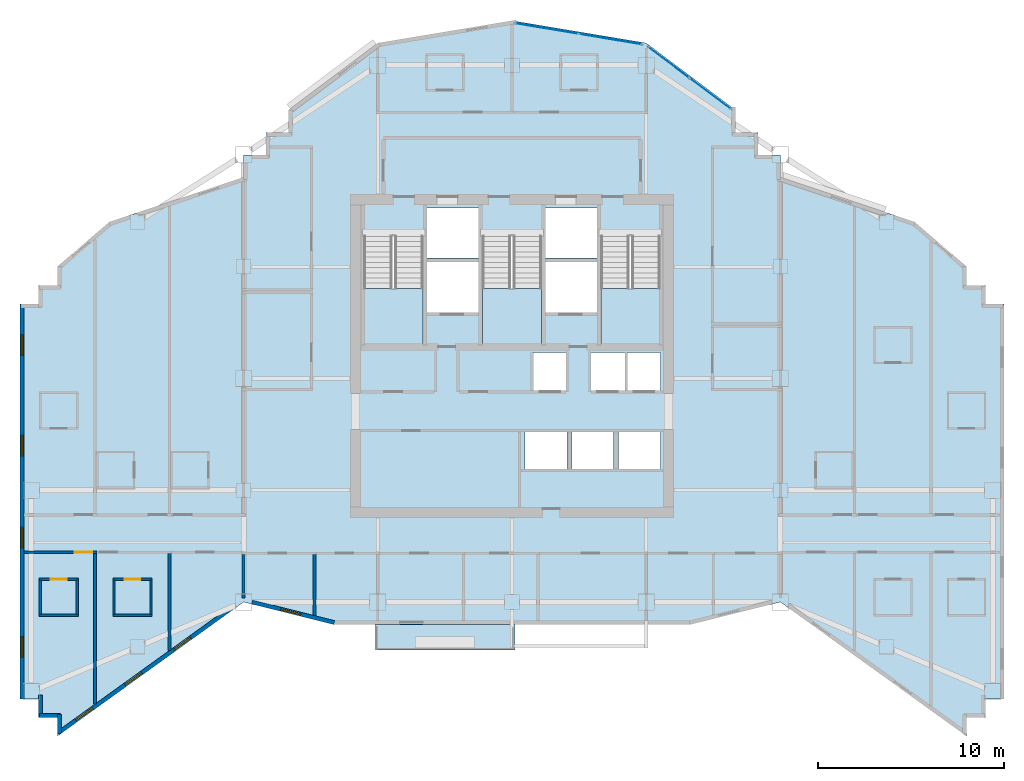
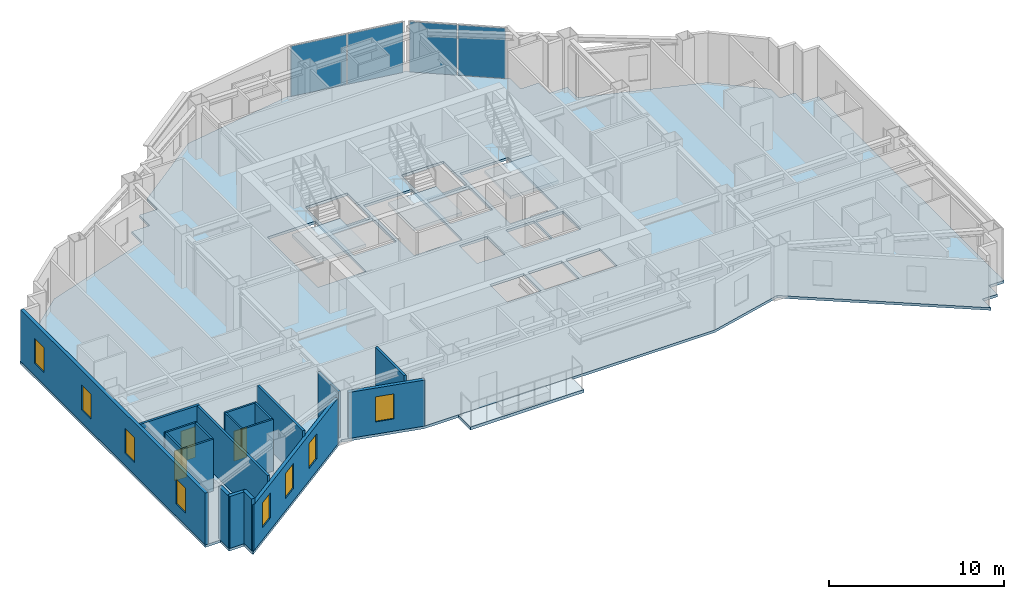
# One storey, part 4 of 12: 19 walls, 8 windows, 5 slabs, 4 plates, 3 doors, 11 openings, 5 elements without a shape of their own.
"""IFC4 building model written with IfcOpenShell, lengths in metres."""

from ifc_helpers import new_model, si_unit, direction, frame, frame_2d, origin, origin_2d, place, context, subcontext, project, spatial, polyline, rectangle, outline, extrude, material, layer, layer_set, type_object, element, fill, aggregate, save


model = new_model("IFC4")

# Units and contexts
model_context = context("Model", 3, precision=1e-05, world=origin(), true_north=direction((0.0, 1.0)))
body_context = subcontext(model_context, "Body", "Model", "MODEL_VIEW")
ifc_project = project(units=[si_unit("LENGTHUNIT", "METRE"), si_unit("AREAUNIT", "SQUARE_METRE"), si_unit("VOLUMEUNIT", "CUBIC_METRE"), si_unit("PLANEANGLEUNIT", "RADIAN"), si_unit("MASSUNIT", "GRAM", prefix="KILO")], contexts=[model_context])

# Site, building, storey
site_placement = place(None, origin())
site = spatial("IfcSite", under=ifc_project, at=site_placement, CompositionType="ELEMENT")
building_placement = place(site_placement, origin())
building = spatial("IfcBuilding", under=site, at=building_placement, Name="Haolan Belvedere Tower", CompositionType="ELEMENT")
storey_placement = place(building_placement, frame((0.0, 0.0, 195.60009765625)))
storey = spatial("IfcBuildingStorey", under=building, at=storey_placement, Name="L49", CompositionType="ELEMENT", Elevation=195.60009765625)

# Curtain wall, plates
ifc_material_1 = material(Name="Anodised champagne-silver aluminium 6063-T6 and Low-E glass", Category="aluminium")
ifc_layer_1 = layer(ifc_material_1, 0.14990234375, Name="Anodised champagne-silver aluminium 6063-T6 and Low-E glass")
ifc_layer_set_1 = layer_set([ifc_layer_1], Name="Anodised champagne-silver aluminium 6063-T6 and Low-E glass")
curtain_wall_type = type_object("IfcCurtainWallType", Name="CW-SYS-04", PredefinedType="NOTDEFINED", material=ifc_layer_set_1)
curtain_wall_1_placement = place(storey_placement, origin())
curtain_wall_1 = element("IfcCurtainWall", 1, at=curtain_wall_1_placement, inside=storey, type_object=curtain_wall_type, Name="L49 CW-SYS-04 ribbon curtain wall 20.1", PredefinedType="NOTDEFINED")
ifc_material_2 = material(Name="Double silver Low-E laminated insulating glass", Category="glass")
ifc_layer_2 = layer(ifc_material_2, 0.02392578125, Name="Double silver Low-E laminated insulating glass")
ifc_layer_set_2 = layer_set([ifc_layer_2], Name="Double silver Low-E laminated insulating glass")
plate_type = type_object("IfcPlateType", Name="CW-SYS-04-PNL", PredefinedType="CURTAIN_PANEL", material=ifc_layer_set_2)
plate_1_placement = place(storey_placement, frame((49.0390625, 48.883056640625, 0.0517578125), z_axis=(0.0, 0.0, 1.0), x_axis=(-0.799997871638, 0.600002837806, 0.0)))
plate_1 = element("IfcPlate", 2, at=plate_1_placement, type_object=plate_type, Name="CW-04 panel 1.1", PredefinedType="CURTAIN_PANEL", context=body_context, shape_type="SweptSolid", body=[
    extrude(rectangle(XDim=2.735107421875, YDim=0.02392578125, at=origin_2d()), origin(), (0.0, 0.0, 1.0), 3.51611328125),
])
plate_2_placement = place(storey_placement, frame((46.806396484375, 50.557861328125, 0.0517578125), z_axis=(0.0, 0.0, 1.0), x_axis=(-0.799997871638, 0.600002837806, 0.0)))
plate_2 = element("IfcPlate", 3, at=plate_2_placement, type_object=plate_type, Name="CW-04 panel 2.1", PredefinedType="CURTAIN_PANEL", context=body_context, shape_type="SweptSolid", body=[
    extrude(rectangle(XDim=2.735107421875, YDim=0.02392578125, at=origin_2d()), origin(), (0.0, 0.0, 1.0), 3.51611328125),
])
aggregate(curtain_wall_1, [plate_1, plate_2])

curtain_wall_2_placement = place(storey_placement, origin())
curtain_wall_2 = element("IfcCurtainWall", 4, at=curtain_wall_2_placement, inside=storey, type_object=curtain_wall_type, Name="L49 CW-SYS-04 ribbon curtain wall 21.1", PredefinedType="NOTDEFINED")
plate_3_placement = place(storey_placement, frame((43.683837890625, 51.807861328125, 0.0517578125), z_axis=(0.0, 0.0, 1.0), x_axis=(-0.98639276122, 0.164405962825, 0.0)))
plate_3 = element("IfcPlate", 5, at=plate_3_placement, type_object=plate_type, Name="CW-04 panel 1.1", PredefinedType="CURTAIN_PANEL", context=body_context, shape_type="SweptSolid", body=[
    extrude(rectangle(XDim=3.403076171875, YDim=0.02392578125, at=origin_2d()), origin(), (0.0, 0.0, 1.0), 3.51611328125),
])
plate_4_placement = place(storey_placement, frame((40.271728515625, 52.37646484375, 0.0517578125), z_axis=(0.0, 0.0, 1.0), x_axis=(-0.98639276122, 0.164405962825, 0.0)))
plate_4 = element("IfcPlate", 6, at=plate_4_placement, type_object=plate_type, Name="CW-04 panel 2.1", PredefinedType="CURTAIN_PANEL", context=body_context, shape_type="SweptSolid", body=[
    extrude(rectangle(XDim=3.403076171875, YDim=0.02392578125, at=origin_2d()), origin(), (0.0, 0.0, 1.0), 3.51611328125),
])
aggregate(curtain_wall_2, [plate_3, plate_4])

# Slabs
ifc_material_3 = material(Name="Concrete C40/50", Category="concrete")
ifc_layer_3 = layer(ifc_material_3, 0.2099609375, Name="Concrete C40/50")
ifc_layer_set_3 = layer_set([ifc_layer_3], Name="Concrete C40/50")
slab_type_1 = type_object("IfcSlabType", Name="SL-BAL-210", PredefinedType="FLOOR", material=ifc_layer_set_3)
slab_1_placement = place(storey_placement, frame((0.0, 0.0, -0.22998046875)))
element("IfcSlab", 7, at=slab_1_placement, inside=storey, type_object=slab_type_1, Name="L49 structural tree-planter balcony slab BAL-L49-S1", PredefinedType="FLOOR", context=body_context, shape_type="SweptSolid", body=[
    extrude(outline(polyline([(31.050048828125, 19.02001953125), (38.550048828125, 19.02001953125), (38.550048828125, 20.39990234375), (31.050048828125, 20.39990234375), (31.050048828125, 19.02001953125)])), origin(), (0.0, 0.0, 1.0), 0.2099609375),
])
ifc_layer_4 = layer(ifc_material_3, 0.179931640625, Name="Concrete C40/50")
ifc_layer_set_4 = layer_set([ifc_layer_4], Name="Concrete C40/50")
slab_type_2 = type_object("IfcSlabType", Name="SL-FLR-180", PredefinedType="FLOOR", material=ifc_layer_set_4)
slab_2_placement = place(storey_placement, frame((0.0, 0.0, -0.18017578125)))
element("IfcSlab", 8, at=slab_2_placement, inside=storey, type_object=slab_type_2, Name="L49 structural floor slab", PredefinedType="FLOOR", context=body_context, shape_type="SweptSolid", body=[
    extrude(outline(polyline([(24.0, 21.60009765625), (28.800048828125, 20.39990234375), (48.0, 20.39990234375), (52.800048828125, 21.60009765625), (62.800048828125, 14.39990234375), (62.800048828125, 15.39990234375), (63.800048828125, 15.39990234375), (63.800048828125, 16.39990234375), (64.800048828125, 16.39990234375), (64.800048828125, 37.60009765625), (63.800048828125, 37.60009765625), (63.800048828125, 38.60009765625), (62.800048828125, 38.60009765625), (62.800048828125, 39.60009765625), (60.0, 42.0), (52.800048828125, 44.39990234375), (52.800048828125, 45.60009765625), (51.60009765625, 45.60009765625), (51.60009765625, 46.800048828125), (50.39990234375, 46.800048828125), (50.39990234375, 48.0), (45.60009765625, 51.60009765625), (38.39990234375, 52.800048828125), (31.199951171875, 51.60009765625), (26.39990234375, 48.0), (26.39990234375, 46.800048828125), (25.199951171875, 46.800048828125), (25.199951171875, 45.60009765625), (24.0, 45.60009765625), (24.0, 44.39990234375), (16.800048828125, 42.0), (14.0, 39.60009765625), (14.0, 38.60009765625), (13.0, 38.60009765625), (13.0, 37.60009765625), (12.0, 37.60009765625), (12.0, 16.800048828125), (12.0, 16.39990234375), (13.0, 16.39990234375), (13.0, 15.39990234375), (14.0, 15.39990234375), (14.0, 14.39990234375), (24.0, 21.60009765625)]), holes=[polyline([(30.449951171875, 41.22998046875), (30.449951171875, 35.449951171875), (33.6298828125, 35.449951171875), (33.6298828125, 41.22998046875), (30.449951171875, 41.22998046875)]), polyline([(36.81005859375, 41.22998046875), (36.81005859375, 35.449951171875), (39.989990234375, 35.449951171875), (39.989990234375, 41.22998046875), (36.81005859375, 41.22998046875)]), polyline([(43.169921875, 41.22998046875), (43.169921875, 35.449951171875), (46.35009765625, 35.449951171875), (46.35009765625, 41.22998046875), (43.169921875, 41.22998046875)]), polyline([(33.830078125, 40.050048828125), (36.610107421875, 40.050048828125), (36.610107421875, 42.75), (33.830078125, 42.75), (33.830078125, 40.050048828125)]), polyline([(33.830078125, 37.14990234375), (36.610107421875, 37.14990234375), (36.610107421875, 39.85009765625), (33.830078125, 39.85009765625), (33.830078125, 37.14990234375)]), polyline([(40.18994140625, 40.050048828125), (42.969970703125, 40.050048828125), (42.969970703125, 42.75), (40.18994140625, 42.75), (40.18994140625, 40.050048828125)]), polyline([(40.18994140625, 37.14990234375), (42.969970703125, 37.14990234375), (42.969970703125, 39.85009765625), (40.18994140625, 39.85009765625), (40.18994140625, 37.14990234375)]), polyline([(39.5400390625, 32.949951171875), (41.389892578125, 32.949951171875), (41.389892578125, 35.0), (39.5400390625, 35.0), (39.5400390625, 32.949951171875)]), polyline([(42.6201171875, 32.949951171875), (44.469970703125, 32.949951171875), (44.469970703125, 35.0), (42.6201171875, 35.0), (42.6201171875, 32.949951171875)]), polyline([(44.580078125, 32.949951171875), (46.3798828125, 32.949951171875), (46.3798828125, 35.0), (44.580078125, 35.0), (44.580078125, 32.949951171875)]), polyline([(39.10009765625, 28.75), (41.340087890625, 28.75), (41.340087890625, 30.75), (39.10009765625, 30.75), (39.10009765625, 28.75)]), polyline([(41.610107421875, 28.75), (43.85009765625, 28.75), (43.85009765625, 30.75), (41.610107421875, 30.75), (41.610107421875, 28.75)]), polyline([(44.1201171875, 28.75), (46.360107421875, 28.75), (46.360107421875, 30.75), (44.1201171875, 30.75), (44.1201171875, 28.75)])]), origin(), (0.0, 0.0, 1.0), 0.18017578125),
])

# Stair, slab
stair_type = type_object("IfcStairType", Name="STR-DL-22R-173", PredefinedType="HALF_TURN_STAIR", material=ifc_material_3)
stair_1_placement = place(storey_placement, origin())
stair_1 = element("IfcStair", 9, at=stair_1_placement, inside=storey, type_object=stair_type, Name="L49 Smokeproof Core Exit Stair ST1", PredefinedType="HALF_TURN_STAIR")
ifc_layer_5 = layer(ifc_material_3, 0.199951171875, Name="Concrete C40/50")
ifc_layer_set_5 = layer_set([ifc_layer_5], Name="Concrete C40/50")
slab_type_3 = type_object("IfcSlabType", Name="SL-LAND-200", PredefinedType="LANDING", material=ifc_layer_set_5)
slab_3_placement = place(storey_placement, frame((0.0, 0.0, 1.699951171875)))
slab_3 = element("IfcSlab", 10, at=slab_3_placement, type_object=slab_type_3, Name="ST1 landing 1", PredefinedType="LANDING", context=body_context, shape_type="SweptSolid", body=[
    extrude(outline(polyline([(30.449951171875, 38.429931640625), (30.449951171875, 35.449951171875), (33.6298828125, 35.449951171875), (33.6298828125, 38.429931640625), (30.449951171875, 38.429931640625)])), origin(), (0.0, 0.0, 1.0), 0.199951171875),
])
aggregate(stair_1, [slab_3])

stair_2_placement = place(storey_placement, origin())
stair_2 = element("IfcStair", 11, at=stair_2_placement, inside=storey, type_object=stair_type, Name="L49 Smokeproof Core Exit Stair ST3", PredefinedType="HALF_TURN_STAIR")
slab_4_placement = place(storey_placement, frame((0.0, 0.0, 1.699951171875)))
slab_4 = element("IfcSlab", 12, at=slab_4_placement, type_object=slab_type_3, Name="ST3 landing 1", PredefinedType="LANDING", context=body_context, shape_type="SweptSolid", body=[
    extrude(outline(polyline([(36.81005859375, 38.429931640625), (36.81005859375, 35.449951171875), (39.989990234375, 35.449951171875), (39.989990234375, 38.429931640625), (36.81005859375, 38.429931640625)])), origin(), (0.0, 0.0, 1.0), 0.199951171875),
])
aggregate(stair_2, [slab_4])

stair_3_placement = place(storey_placement, origin())
stair_3 = element("IfcStair", 13, at=stair_3_placement, inside=storey, type_object=stair_type, Name="L49 Smokeproof Core Exit Stair ST2", PredefinedType="HALF_TURN_STAIR")
slab_5_placement = place(storey_placement, frame((0.0, 0.0, 1.699951171875)))
slab_5 = element("IfcSlab", 14, at=slab_5_placement, type_object=slab_type_3, Name="ST2 landing 1", PredefinedType="LANDING", context=body_context, shape_type="SweptSolid", body=[
    extrude(outline(polyline([(43.169921875, 38.429931640625), (43.169921875, 35.449951171875), (46.35009765625, 35.449951171875), (46.35009765625, 38.429931640625), (43.169921875, 38.429931640625)])), origin(), (0.0, 0.0, 1.0), 0.199951171875),
])
aggregate(stair_3, [slab_5])

# Wall, openings, windows
ifc_material_4 = material(Name="Precast concrete C40/50", Category="concrete")
ifc_layer_6 = layer(ifc_material_4, 0.219970703125, Name="Precast concrete C40/50")
ifc_layer_set_6 = layer_set([ifc_layer_6], Name="Precast concrete C40/50")
wall_type_1 = type_object("IfcWallType", Name="WL-EXT-220", PredefinedType="SOLIDWALL", material=ifc_layer_set_6)
wall_1_placement = place(storey_placement, frame((12.110107421875, 37.544921875, 0.0), z_axis=(0.0, 0.0, 1.0), x_axis=(0.0, -1.0, 0.0)))
wall_1 = element("IfcWall", 15, at=wall_1_placement, inside=storey, type_object=wall_type_1, Name="L49 pale-metal exterior spandrel wall 35.1", PredefinedType="SOLIDWALL", context=body_context, shape_type="SweptSolid", body=[
    extrude(rectangle(XDim=21.14501953125, YDim=0.219970703125, at=frame_2d((10.572509765625, 0.0))), origin(), (0.0, 0.0, 1.0), 3.619873046875),
])
opening_1_placement = place(wall_1_placement, frame((1.60009765625, 0.0, 0.85009765625)))
opening_1 = element("IfcOpeningElement", 16, at=opening_1_placement, cuts=wall_1, Name="Opening W-03", PredefinedType="OPENING", context=body_context, shape_type="SweptSolid", body=[
    extrude(rectangle(XDim=1.10009765625, YDim=1.75, at=frame_2d((0.550048828125, 0.875))), frame((0.0, 0.119873046875, 0.0), z_axis=(0.0, -1.0, 0.0), x_axis=(1.0, 0.0, 0.0)), (0.0, 0.0, 1.0), 0.239990234375),
])
opening_2_placement = place(wall_1_placement, frame((7.0, 0.0, 0.85009765625)))
opening_2 = element("IfcOpeningElement", 17, at=opening_2_placement, cuts=wall_1, Name="Opening W-03", PredefinedType="OPENING", context=body_context, shape_type="SweptSolid", body=[
    extrude(rectangle(XDim=1.10009765625, YDim=1.75, at=frame_2d((0.550048828125, 0.875))), frame((0.0, 0.119873046875, 0.0), z_axis=(0.0, -1.0, 0.0), x_axis=(1.0, 0.0, 0.0)), (0.0, 0.0, 1.0), 0.239990234375),
])
opening_3_placement = place(wall_1_placement, frame((11.93994140625, 0.0, 0.85009765625)))
opening_3 = element("IfcOpeningElement", 18, at=opening_3_placement, cuts=wall_1, Name="Opening W-03", PredefinedType="OPENING", context=body_context, shape_type="SweptSolid", body=[
    extrude(rectangle(XDim=1.10009765625, YDim=1.75, at=frame_2d((0.550048828125, 0.875))), frame((0.0, 0.119873046875, 0.0), z_axis=(0.0, -1.0, 0.0), x_axis=(1.0, 0.0, 0.0)), (0.0, 0.0, 1.0), 0.239990234375),
])
opening_4_placement = place(wall_1_placement, frame((17.800048828125, 0.0, 0.85009765625)))
opening_4 = element("IfcOpeningElement", 19, at=opening_4_placement, cuts=wall_1, Name="Opening W-03", PredefinedType="OPENING", context=body_context, shape_type="SweptSolid", body=[
    extrude(rectangle(XDim=1.10009765625, YDim=1.75, at=frame_2d((0.550048828125, 0.875))), frame((0.0, 0.119873046875, 0.0), z_axis=(0.0, -1.0, 0.0), x_axis=(1.0, 0.0, 0.0)), (0.0, 0.0, 1.0), 0.239990234375),
])
ifc_material_5 = material(Name="Anodised aluminium 6063-T6 and Low-E glass", Category="aluminium")
window_type = type_object("IfcWindowType", Name="WN-DECO-Z3", PartitioningType="SINGLE_PANEL", PredefinedType="WINDOW", material=ifc_material_5)
window_1_placement = place(opening_1_placement, origin())
window_1 = element("IfcWindow", 20, at=window_1_placement, inside=storey, type_object=window_type, Name="L49 Art Deco chevron window 1", OverallHeight=1.75, OverallWidth=1.10009765625, PartitioningType="SINGLE_PANEL", PredefinedType="WINDOW", context=body_context, shape_type="SweptSolid", body=[
    extrude(rectangle(XDim=1.10009765625, YDim=1.75, at=frame_2d((0.550048828125, 0.875))), frame((0.0, 0.030029296875, 0.0), z_axis=(0.0, -1.0, 0.0), x_axis=(1.0, 0.0, 0.0)), (0.0, 0.0, 1.0), 0.06005859375),
])
fill(opening_1, window_1)
window_2_placement = place(opening_2_placement, origin())
window_2 = element("IfcWindow", 21, at=window_2_placement, inside=storey, type_object=window_type, Name="L49 Art Deco chevron window 2", OverallHeight=1.75, OverallWidth=1.10009765625, PartitioningType="SINGLE_PANEL", PredefinedType="WINDOW", context=body_context, shape_type="SweptSolid", body=[
    extrude(rectangle(XDim=1.10009765625, YDim=1.75, at=frame_2d((0.550048828125, 0.875))), frame((0.0, 0.030029296875, 0.0), z_axis=(0.0, -1.0, 0.0), x_axis=(1.0, 0.0, 0.0)), (0.0, 0.0, 1.0), 0.06005859375),
])
fill(opening_2, window_2)
window_3_placement = place(opening_3_placement, origin())
window_3 = element("IfcWindow", 22, at=window_3_placement, inside=storey, type_object=window_type, Name="L49 Art Deco chevron window 3", OverallHeight=1.75, OverallWidth=1.10009765625, PartitioningType="SINGLE_PANEL", PredefinedType="WINDOW", context=body_context, shape_type="SweptSolid", body=[
    extrude(rectangle(XDim=1.10009765625, YDim=1.75, at=frame_2d((0.550048828125, 0.875))), frame((0.0, 0.030029296875, 0.0), z_axis=(0.0, -1.0, 0.0), x_axis=(1.0, 0.0, 0.0)), (0.0, 0.0, 1.0), 0.06005859375),
])
fill(opening_3, window_3)
window_4_placement = place(opening_4_placement, origin())
window_4 = element("IfcWindow", 23, at=window_4_placement, inside=storey, type_object=window_type, Name="L49 Art Deco chevron window 4", OverallHeight=1.75, OverallWidth=1.10009765625, PartitioningType="SINGLE_PANEL", PredefinedType="WINDOW", context=body_context, shape_type="SweptSolid", body=[
    extrude(rectangle(XDim=1.10009765625, YDim=1.75, at=frame_2d((0.550048828125, 0.875))), frame((0.0, 0.030029296875, 0.0), z_axis=(0.0, -1.0, 0.0), x_axis=(1.0, 0.0, 0.0)), (0.0, 0.0, 1.0), 0.06005859375),
])
fill(opening_4, window_4)

# Walls
wall_2_placement = place(storey_placement, frame((13.110107421875, 16.6201171875, 0.0), z_axis=(0.0, 0.0, 1.0), x_axis=(0.0, -1.0, 0.0)))
element("IfcWall", 24, at=wall_2_placement, inside=storey, type_object=wall_type_1, Name="L49 pale-metal exterior spandrel wall 37.1", PredefinedType="SOLIDWALL", context=body_context, shape_type="SweptSolid", body=[
    extrude(rectangle(XDim=1.1650390625, YDim=0.219970703125, at=frame_2d((0.58251953125, 0.0))), origin(), (0.0, 0.0, 1.0), 3.619873046875),
])
wall_3_placement = place(storey_placement, frame((13.054931640625, 15.510009765625, 0.0), z_axis=(0.0, 0.0, 1.0), x_axis=(1.0, 0.0, 0.0)))
element("IfcWall", 25, at=wall_3_placement, inside=storey, type_object=wall_type_1, Name="L49 pale-metal exterior spandrel wall 38.1", PredefinedType="SOLIDWALL", context=body_context, shape_type="SweptSolid", body=[
    extrude(rectangle(XDim=1.110107421875, YDim=0.219970703125, at=frame_2d((0.55517578125, 0.0))), origin(), (0.0, 0.0, 1.0), 3.619873046875),
])
wall_4_placement = place(storey_placement, frame((14.110107421875, 15.56494140625, 0.0), z_axis=(0.0, 0.0, 1.0), x_axis=(0.0, -1.0, 0.0)))
element("IfcWall", 26, at=wall_4_placement, inside=storey, type_object=wall_type_1, Name="L49 pale-metal exterior spandrel wall 39.1", PredefinedType="SOLIDWALL", context=body_context, shape_type="SweptSolid", body=[
    extrude(rectangle(XDim=1.005126953125, YDim=0.219970703125, at=frame_2d((0.50244140625, 0.0))), origin(), (0.0, 0.0, 1.0), 3.619873046875),
])

# Wall, openings, windows
wall_5_placement = place(storey_placement, frame((14.0654296875, 14.58251953125, 0.0), z_axis=(0.0, 0.0, 1.0), x_axis=(0.811534737332, 0.58430417601, 0.0)))
wall_5 = element("IfcWall", 27, at=wall_5_placement, inside=storey, type_object=wall_type_1, Name="L49 pale-metal exterior spandrel wall 40.1", PredefinedType="SOLIDWALL", context=body_context, shape_type="SweptSolid", body=[
    extrude(rectangle(XDim=11.697265625, YDim=0.219970703125, at=frame_2d((5.8486328125, 0.0))), origin(), (0.0, 0.0, 1.0), 3.21484375),
])
opening_5_placement = place(wall_5_placement, frame((1.1591796875, 0.0, 0.85009765625)))
opening_5 = element("IfcOpeningElement", 28, at=opening_5_placement, cuts=wall_5, Name="Opening W-03", PredefinedType="OPENING", context=body_context, shape_type="SweptSolid", body=[
    extrude(rectangle(XDim=1.10009765625, YDim=1.75, at=frame_2d((0.550048828125, 0.875))), frame((0.0, 0.119873046875, 0.0), z_axis=(0.0, -1.0, 0.0), x_axis=(1.0, 0.0, 0.0)), (0.0, 0.0, 1.0), 0.239990234375),
])
opening_6_placement = place(wall_5_placement, frame((7.64599609375, 0.0, 0.85009765625)))
opening_6 = element("IfcOpeningElement", 29, at=opening_6_placement, cuts=wall_5, Name="Opening W-03", PredefinedType="OPENING", context=body_context, shape_type="SweptSolid", body=[
    extrude(rectangle(XDim=1.10009765625, YDim=1.75, at=frame_2d((0.550048828125, 0.875))), frame((0.0, 0.119873046875, 0.0), z_axis=(0.0, -1.0, 0.0), x_axis=(1.0, 0.0, 0.0)), (0.0, 0.0, 1.0), 0.239990234375),
])
opening_7_placement = place(wall_5_placement, frame((4.402587890625, 0.0, 0.85009765625)))
opening_7 = element("IfcOpeningElement", 30, at=opening_7_placement, cuts=wall_5, Name="Opening W-03", PredefinedType="OPENING", context=body_context, shape_type="SweptSolid", body=[
    extrude(rectangle(XDim=1.10009765625, YDim=1.75, at=frame_2d((0.550048828125, 0.875))), frame((0.0, 0.119873046875, 0.0), z_axis=(0.0, -1.0, 0.0), x_axis=(1.0, 0.0, 0.0)), (0.0, 0.0, 1.0), 0.239990234375),
])
window_5_placement = place(opening_5_placement, origin())
window_5 = element("IfcWindow", 31, at=window_5_placement, inside=storey, type_object=window_type, Name="L49 Art Deco chevron window 1", OverallHeight=1.75, OverallWidth=1.10009765625, PartitioningType="SINGLE_PANEL", PredefinedType="WINDOW", context=body_context, shape_type="SweptSolid", body=[
    extrude(rectangle(XDim=1.10009765625, YDim=1.75, at=frame_2d((0.550048828125, 0.875))), frame((0.0, 0.030029296875, 0.0), z_axis=(0.0, -1.0, 0.0), x_axis=(1.0, 0.0, 0.0)), (0.0, 0.0, 1.0), 0.06005859375),
])
fill(opening_5, window_5)
window_6_placement = place(opening_6_placement, origin())
window_6 = element("IfcWindow", 32, at=window_6_placement, inside=storey, type_object=window_type, Name="L49 Art Deco chevron window 2", OverallHeight=1.75, OverallWidth=1.10009765625, PartitioningType="SINGLE_PANEL", PredefinedType="WINDOW", context=body_context, shape_type="SweptSolid", body=[
    extrude(rectangle(XDim=1.10009765625, YDim=1.75, at=frame_2d((0.550048828125, 0.875))), frame((0.0, 0.030029296875, 0.0), z_axis=(0.0, -1.0, 0.0), x_axis=(1.0, 0.0, 0.0)), (0.0, 0.0, 1.0), 0.06005859375),
])
fill(opening_6, window_6)
window_7_placement = place(opening_7_placement, origin())
window_7 = element("IfcWindow", 33, at=window_7_placement, inside=storey, type_object=window_type, Name="L49 Art Deco guestroom window 1", OverallHeight=1.75, OverallWidth=1.10009765625, PartitioningType="SINGLE_PANEL", PredefinedType="WINDOW", context=body_context, shape_type="SweptSolid", body=[
    extrude(rectangle(XDim=1.10009765625, YDim=1.75, at=frame_2d((0.550048828125, 0.875))), frame((0.0, 0.030029296875, 0.0), z_axis=(0.0, -1.0, 0.0), x_axis=(1.0, 0.0, 0.0)), (0.0, 0.0, 1.0), 0.06005859375),
])
fill(opening_7, window_7)

# Wall, opening, window
wall_6_placement = place(storey_placement, frame((24.44189453125, 21.602783203125, 0.0), z_axis=(0.0, 0.0, 1.0), x_axis=(0.970145648609, -0.242523030833, 0.0)))
wall_6 = element("IfcWall", 34, at=wall_6_placement, inside=storey, type_object=wall_type_1, Name="L49 pale-metal exterior spandrel wall 41.1", PredefinedType="SOLIDWALL", context=body_context, shape_type="SweptSolid", body=[
    extrude(rectangle(XDim=4.561279296875, YDim=0.219970703125, at=frame_2d((2.28076171875, 0.0))), origin(), (0.0, 0.0, 1.0), 3.21484375),
])
opening_8_placement = place(wall_6_placement, frame((1.60009765625, 0.0, 0.85009765625)))
opening_8 = element("IfcOpeningElement", 35, at=opening_8_placement, cuts=wall_6, Name="Opening W-03", PredefinedType="OPENING", context=body_context, shape_type="SweptSolid", body=[
    extrude(rectangle(XDim=1.10009765625, YDim=1.75, at=frame_2d((0.550048828125, 0.875))), frame((0.0, 0.119873046875, 0.0), z_axis=(0.0, -1.0, 0.0), x_axis=(1.0, 0.0, 0.0)), (0.0, 0.0, 1.0), 0.239990234375),
])
window_8_placement = place(opening_8_placement, origin())
window_8 = element("IfcWindow", 36, at=window_8_placement, inside=storey, type_object=window_type, Name="L49 Art Deco chevron window 1", OverallHeight=1.75, OverallWidth=1.10009765625, PartitioningType="SINGLE_PANEL", PredefinedType="WINDOW", context=body_context, shape_type="SweptSolid", body=[
    extrude(rectangle(XDim=1.10009765625, YDim=1.75, at=frame_2d((0.550048828125, 0.875))), frame((0.0, 0.030029296875, 0.0), z_axis=(0.0, -1.0, 0.0), x_axis=(1.0, 0.0, 0.0)), (0.0, 0.0, 1.0), 0.06005859375),
])
fill(opening_8, window_8)

# Walls
ifc_material_6 = material(Name="Double gypsum acoustic stud partition", Category="masonry")
ifc_layer_7 = layer(ifc_material_6, 0.14990234375, Name="Double gypsum acoustic stud partition")
ifc_layer_set_7 = layer_set([ifc_layer_7], Name="Double gypsum acoustic stud partition")
wall_type_2 = type_object("IfcWallType", Name="WL-PART-150", PredefinedType="PARTITIONING", material=ifc_layer_set_7)
wall_7_placement = place(storey_placement, frame((24.0, 21.818603515625, 0.0), z_axis=(0.0, 0.0, 1.0), x_axis=(0.0, 1.0, 0.0)))
element("IfcWall", 37, at=wall_7_placement, inside=storey, type_object=wall_type_2, Name="L49 interior partition IW-L49-KS1-W", PredefinedType="PARTITIONING", context=body_context, shape_type="SweptSolid", body=[
    extrude(rectangle(XDim=2.34130859375, YDim=0.14990234375, at=frame_2d((1.170654296875, 0.0))), origin(), (0.0, 0.0, 1.0), 3.21484375),
])
wall_8_placement = place(storey_placement, frame((27.800048828125, 20.868408203125, 0.0), z_axis=(0.0, 0.0, 1.0), x_axis=(0.0, 1.0, 0.0)))
element("IfcWall", 38, at=wall_8_placement, inside=storey, type_object=wall_type_2, Name="L49 interior partition IW-L49-KS1-E", PredefinedType="PARTITIONING", context=body_context, shape_type="SweptSolid", body=[
    extrude(rectangle(XDim=3.29150390625, YDim=0.14990234375, at=frame_2d((1.645751953125, 0.0))), origin(), (0.0, 0.0, 1.0), 3.619873046875),
])

# Wall, opening, door
wall_9_placement = place(storey_placement, frame((12.2119140625, 24.27001953125, 0.0), z_axis=(0.0, 0.0, 1.0), x_axis=(1.0, 0.0, 0.0)))
wall_9 = element("IfcWall", 39, at=wall_9_placement, inside=storey, type_object=wall_type_2, Name="L49 interior partition IW-L49-T2S1-N", PredefinedType="PARTITIONING", context=body_context, shape_type="SweptSolid", body=[
    extrude(rectangle(XDim=3.91796875, YDim=0.14990234375, at=frame_2d((1.958984375, 0.0))), origin(), (0.0, 0.0, 1.0), 3.619873046875),
])
opening_9_placement = place(wall_9_placement, frame((3.663330078125, 0.0, 0.0), z_axis=(0.0, 0.0, 1.0), x_axis=(-1.0, 0.0, 0.0)))
opening_9 = element("IfcOpeningElement", 40, at=opening_9_placement, cuts=wall_9, Name="Opening ID-02", PredefinedType="OPENING", context=body_context, shape_type="SweptSolid", body=[
    extrude(rectangle(XDim=0.949951171875, YDim=2.14990234375, at=frame_2d((0.47509765625, 1.074951171875))), frame((0.0, 0.0849609375, 0.0), z_axis=(0.0, -1.0, 0.0), x_axis=(1.0, 0.0, 0.0)), (0.0, 0.0, 1.0), 0.169921875),
])
ifc_material_7 = material(Name="Acoustic oak veneer fire-rated timber", Category="wood")
door_type_1 = type_object("IfcDoorType", Name="DR-GUEST-950", OperationType="NOTDEFINED", PredefinedType="DOOR", material=ifc_material_7)
door_1_placement = place(opening_9_placement, origin())
door_1 = element("IfcDoor", 41, at=door_1_placement, inside=storey, type_object=door_type_1, Name="L49 door ID-L49-T2S1-ENT", OperationType="SINGLE_SWING_LEFT", OverallHeight=2.14990234375, OverallWidth=0.949951171875, PredefinedType="DOOR", context=body_context, shape_type="SweptSolid", body=[
    extrude(rectangle(XDim=0.949951171875, YDim=2.14990234375, at=frame_2d((0.47509765625, 1.074951171875))), frame((0.0, 0.02490234375, 0.0), z_axis=(0.0, -1.0, 0.0), x_axis=(1.0, 0.0, 0.0)), (0.0, 0.0, 1.0), 0.050048828125),
])
fill(opening_9, door_1)

# Walls
wall_10_placement = place(storey_placement, frame((16.030029296875, 16.122802734375, 0.0), z_axis=(0.0, 0.0, 1.0), x_axis=(0.0, 1.0, 0.0)))
element("IfcWall", 42, at=wall_10_placement, inside=storey, type_object=wall_type_2, Name="L49 interior partition IW-L49-T2S1-E", PredefinedType="PARTITIONING", context=body_context, shape_type="SweptSolid", body=[
    extrude(rectangle(XDim=8.087158203125, YDim=0.14990234375, at=frame_2d((4.04345703125, 0.0))), origin(), (0.0, 0.0, 1.0), 3.619873046875),
])
wall_11_placement = place(storey_placement, frame((20.02001953125, 18.99560546875, 0.0), z_axis=(0.0, 0.0, 1.0), x_axis=(0.0, 1.0, 0.0)))
element("IfcWall", 43, at=wall_11_placement, inside=storey, type_object=wall_type_2, Name="L49 interior partition IW-L49-T2S2-E", PredefinedType="PARTITIONING", context=body_context, shape_type="SweptSolid", body=[
    extrude(rectangle(XDim=5.21435546875, YDim=0.14990234375, at=frame_2d((2.607177734375, 0.0))), origin(), (0.0, 0.0, 1.0), 3.619873046875),
])

# Wall, opening, door
ifc_material_8 = material(Name="Moisture-resistant gypsum tile partition", Category="masonry")
ifc_layer_8 = layer(ifc_material_8, 0.1201171875, Name="Moisture-resistant gypsum tile partition")
ifc_layer_set_8 = layer_set([ifc_layer_8], Name="Moisture-resistant gypsum tile partition")
wall_type_3 = type_object("IfcWallType", Name="WL-WET-120", PredefinedType="PARTITIONING", material=ifc_layer_set_8)
wall_12_placement = place(storey_placement, frame((13.030029296875, 22.820068359375, 0.0), z_axis=(0.0, 0.0, 1.0), x_axis=(1.0, 0.0, 0.0)))
wall_12 = element("IfcWall", 44, at=wall_12_placement, inside=storey, type_object=wall_type_3, Name="L49 interior partition IW-L49-T2S1-BN", PredefinedType="PARTITIONING", context=body_context, shape_type="SweptSolid", body=[
    extrude(rectangle(XDim=2.099853515625, YDim=0.1201171875, at=frame_2d((1.0498046875, 0.0))), origin(), (0.0, 0.0, 1.0), 3.619873046875),
])
opening_10_placement = place(wall_12_placement, frame((1.47509765625, 0.0, 0.0), z_axis=(0.0, 0.0, 1.0), x_axis=(-1.0, 0.0, 0.0)))
opening_10 = element("IfcOpeningElement", 45, at=opening_10_placement, cuts=wall_12, Name="Opening ID-05", PredefinedType="OPENING", context=body_context, shape_type="SweptSolid", body=[
    extrude(rectangle(XDim=0.85009765625, YDim=2.10009765625, at=frame_2d((0.425048828125, 1.050048828125))), frame((0.0, 0.070068359375, 0.0), z_axis=(0.0, -1.0, 0.0), x_axis=(1.0, 0.0, 0.0)), (0.0, 0.0, 1.0), 0.14013671875),
])
ifc_material_9 = material(Name="Moisture-resistant lacquered timber", Category="wood")
door_type_2 = type_object("IfcDoorType", Name="DR-BATH-850", OperationType="NOTDEFINED", PredefinedType="DOOR", material=ifc_material_9)
door_2_placement = place(opening_10_placement, origin())
door_2 = element("IfcDoor", 46, at=door_2_placement, inside=storey, type_object=door_type_2, Name="L49 door ID-L49-T2S1-BATH", OperationType="SINGLE_SWING_RIGHT", OverallHeight=2.10009765625, OverallWidth=0.85009765625, PredefinedType="DOOR", context=body_context, shape_type="SweptSolid", body=[
    extrude(rectangle(XDim=0.85009765625, YDim=2.10009765625, at=frame_2d((0.425048828125, 1.050048828125))), frame((0.0, 0.02490234375, 0.0), z_axis=(0.0, -1.0, 0.0), x_axis=(1.0, 0.0, 0.0)), (0.0, 0.0, 1.0), 0.050048828125),
])
fill(opening_10, door_2)

# Walls
wall_13_placement = place(storey_placement, frame((13.030029296875, 20.89990234375, 0.0), z_axis=(0.0, 0.0, 1.0), x_axis=(1.0, 0.0, 0.0)))
element("IfcWall", 47, at=wall_13_placement, inside=storey, type_object=wall_type_3, Name="L49 interior partition IW-L49-T2S1-BS", PredefinedType="PARTITIONING", context=body_context, shape_type="SweptSolid", body=[
    extrude(rectangle(XDim=2.099853515625, YDim=0.1201171875, at=frame_2d((1.0498046875, 0.0))), origin(), (0.0, 0.0, 1.0), 3.619873046875),
])
for number, where, z_axis, x_axis, name in (
    (48, (13.090087890625, 20.945068359375, 0.0), (0.0, 0.0, 1.0), (0.0, 1.0, 0.0), "L49 interior partition IW-L49-T2S1-BW"),
    (49, (15.070068359375, 20.945068359375, 0.0), (0.0, 0.0, 1.0), (0.0, 1.0, 0.0), "L49 interior partition IW-L49-T2S1-BE"),
):
    element("IfcWall", number, at=place(storey_placement, frame(where, z_axis=z_axis, x_axis=x_axis)), inside=storey, type_object=wall_type_3, Name=name, PredefinedType="PARTITIONING", context=body_context, shape_type="SweptSolid", body=[
        extrude(rectangle(XDim=1.829833984375, YDim=0.1201171875, at=frame_2d((0.9150390625, 0.0))), origin(), (0.0, 0.0, 1.0), 3.619873046875),
    ])

# Wall, opening, door
wall_14_placement = place(storey_placement, frame((16.98291015625, 22.820068359375, 0.0), z_axis=(0.0, 0.0, 1.0), x_axis=(1.0, 0.0, 0.0)))
wall_14 = element("IfcWall", 50, at=wall_14_placement, inside=storey, type_object=wall_type_3, Name="L49 interior partition IW-L49-T2S2-BN", PredefinedType="PARTITIONING", context=body_context, shape_type="SweptSolid", body=[
    extrude(rectangle(XDim=2.10009765625, YDim=0.1201171875, at=frame_2d((1.050048828125, 0.0))), origin(), (0.0, 0.0, 1.0), 3.619873046875),
])
opening_11_placement = place(wall_14_placement, frame((1.47509765625, 0.0, 0.0), z_axis=(0.0, 0.0, 1.0), x_axis=(-1.0, 0.0, 0.0)))
opening_11 = element("IfcOpeningElement", 51, at=opening_11_placement, cuts=wall_14, Name="Opening ID-05", PredefinedType="OPENING", context=body_context, shape_type="SweptSolid", body=[
    extrude(rectangle(XDim=0.85009765625, YDim=2.10009765625, at=frame_2d((0.425048828125, 1.050048828125))), frame((0.0, 0.070068359375, 0.0), z_axis=(0.0, -1.0, 0.0), x_axis=(1.0, 0.0, 0.0)), (0.0, 0.0, 1.0), 0.14013671875),
])
door_3_placement = place(opening_11_placement, origin())
door_3 = element("IfcDoor", 52, at=door_3_placement, inside=storey, type_object=door_type_2, Name="L49 door ID-L49-T2S2-BATH", OperationType="SINGLE_SWING_LEFT", OverallHeight=2.10009765625, OverallWidth=0.85009765625, PredefinedType="DOOR", context=body_context, shape_type="SweptSolid", body=[
    extrude(rectangle(XDim=0.85009765625, YDim=2.10009765625, at=frame_2d((0.425048828125, 1.050048828125))), frame((0.0, 0.02490234375, 0.0), z_axis=(0.0, -1.0, 0.0), x_axis=(1.0, 0.0, 0.0)), (0.0, 0.0, 1.0), 0.050048828125),
])
fill(opening_11, door_3)

# Walls
wall_15_placement = place(storey_placement, frame((16.98291015625, 20.89990234375, 0.0), z_axis=(0.0, 0.0, 1.0), x_axis=(1.0, 0.0, 0.0)))
element("IfcWall", 53, at=wall_15_placement, inside=storey, type_object=wall_type_3, Name="L49 interior partition IW-L49-T2S2-BS", PredefinedType="PARTITIONING", context=body_context, shape_type="SweptSolid", body=[
    extrude(rectangle(XDim=2.10009765625, YDim=0.1201171875, at=frame_2d((1.050048828125, 0.0))), origin(), (0.0, 0.0, 1.0), 3.619873046875),
])
for number, where, z_axis, x_axis, name in (
    (54, (17.04296875, 20.945068359375, 0.0), (0.0, 0.0, 1.0), (0.0, 1.0, 0.0), "L49 interior partition IW-L49-T2S2-BW"),
    (55, (19.02294921875, 20.945068359375, 0.0), (0.0, 0.0, 1.0), (0.0, 1.0, 0.0), "L49 interior partition IW-L49-T2S2-BE"),
):
    element("IfcWall", number, at=place(storey_placement, frame(where, z_axis=z_axis, x_axis=x_axis)), inside=storey, type_object=wall_type_3, Name=name, PredefinedType="PARTITIONING", context=body_context, shape_type="SweptSolid", body=[
        extrude(rectangle(XDim=1.829833984375, YDim=0.1201171875, at=frame_2d((0.9150390625, 0.0))), origin(), (0.0, 0.0, 1.0), 3.619873046875),
    ])

save(model, "model.ifc")
